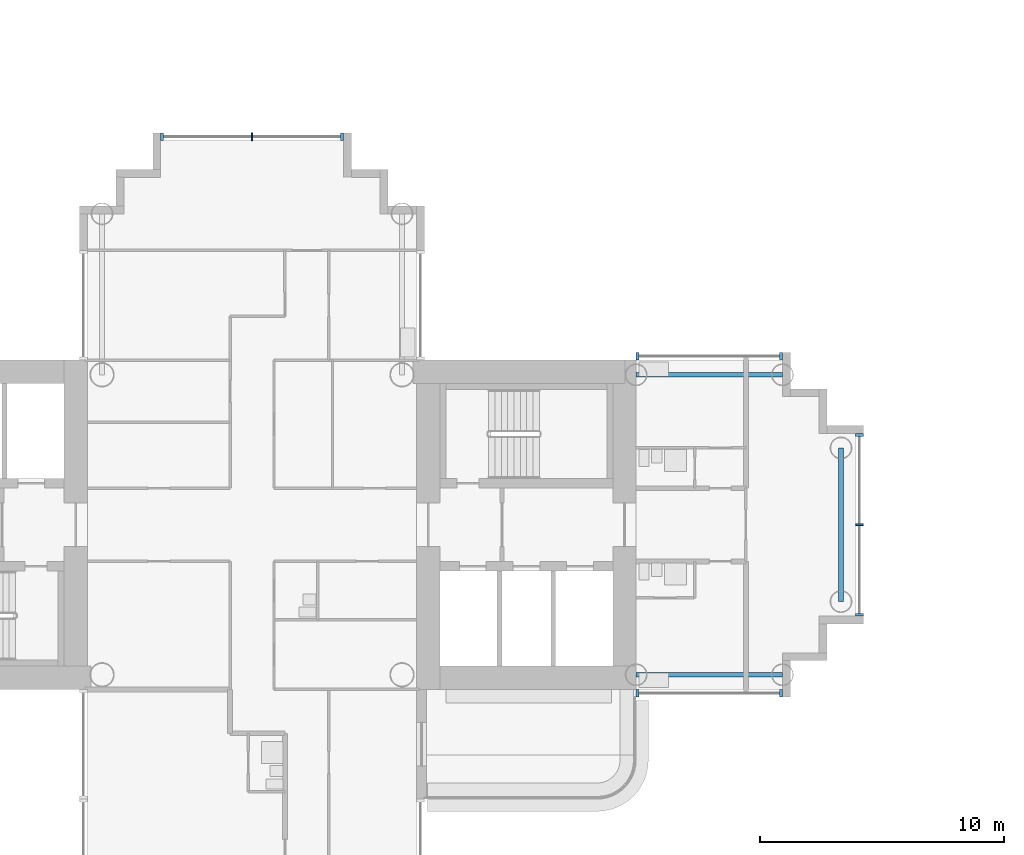
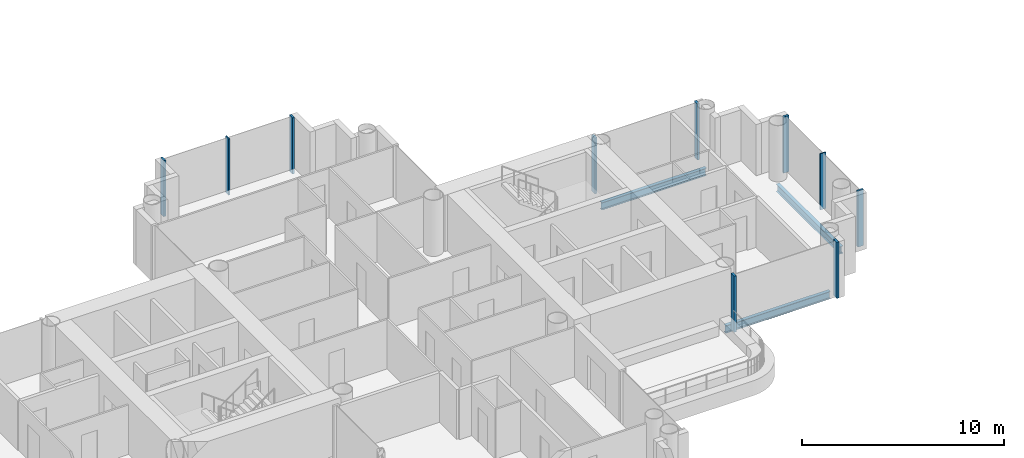
# One storey, part 4 of 21: 10 members, 3 beams, 4 elements without a shape of their own.
"""IFC4 building model written with IfcOpenShell, lengths in metres."""

from ifc_helpers import new_model, si_unit, direction, frame, origin, origin_2d, place, context, subcontext, project, spatial, rectangle, i_section, extrude, material, layer, layer_set, material_profile, profile_set, type_object, element, aggregate, save


model = new_model("IFC4")

# Units and contexts
model_context = context("Model", 3, precision=1e-05, world=origin(), true_north=direction((0.0, 1.0)))
body_context = subcontext(model_context, "Body", "Model", "MODEL_VIEW")
ifc_project = project(units=[si_unit("LENGTHUNIT", "METRE"), si_unit("AREAUNIT", "SQUARE_METRE"), si_unit("VOLUMEUNIT", "CUBIC_METRE"), si_unit("PLANEANGLEUNIT", "RADIAN"), si_unit("MASSUNIT", "GRAM", prefix="KILO")], contexts=[model_context])

# Site, building, storey
site_placement = place(None, origin())
site = spatial("IfcSite", under=ifc_project, at=site_placement, CompositionType="ELEMENT")
building_placement = place(site_placement, origin())
building = spatial("IfcBuilding", under=site, at=building_placement, Name="Ipe Terrace Towers", CompositionType="ELEMENT")
storey_placement = place(building_placement, frame((0.0, 0.0, 103.800048828125)))
storey = spatial("IfcBuildingStorey", under=building, at=storey_placement, Name="L28", CompositionType="ELEMENT", Elevation=103.800048828125)

# Beams
ifc_material_1 = material(Name="Steel S355", Category="steel")
ifc_material_profile_1 = material_profile(ifc_material_1, i_section(OverallWidth=0.199951171875, OverallDepth=0.449951171875, WebThickness=0.009033203125, FlangeThickness=0.013916015625, at=origin_2d()), Name="H-450x200x9x14")
ifc_profile_set_1 = profile_set([ifc_material_profile_1], Name="Steel S355")
beam_type = type_object("IfcBeamType", Name="H08 EDGE BEAM H-450x200x9x14", PredefinedType="BEAM", material=ifc_profile_set_1)
for number, where, z_axis, x_axis, name in (
    (1, (-20.25, -6.14990234375, -0.625), (1.0, 0.0, 0.0), (0.0, 1.0, 0.0), "Edge beam T1-EB-A01-A03"),
    (2, (-20.25, 6.14990234375, -0.625), (1.0, 0.0, 0.0), (0.0, 1.0, 0.0), "Edge beam T1-EB-A02-A04"),
):
    element("IfcBeam", number, at=place(storey_placement, frame(where, z_axis=z_axis, x_axis=x_axis)), inside=storey, type_object=beam_type, Name=name, PredefinedType="BEAM", context=body_context, shape_type="SweptSolid", body=[
        extrude(i_section(OverallWidth=0.199951171875, OverallDepth=0.449951171875, WebThickness=0.009033203125, FlangeThickness=0.013916015625, at=origin_2d()), origin(), (0.0, 0.0, 1.0), 6.0),
    ])
beam_placement = place(storey_placement, frame((-11.85009765625, -3.14990234375, -0.625), z_axis=(0.0, 1.0, 0.0), x_axis=(-1.0, 0.0, 0.0)))
element("IfcBeam", 3, at=beam_placement, inside=storey, type_object=beam_type, Name="Edge beam T1-EB-A05-A06", PredefinedType="BEAM", context=body_context, shape_type="SweptSolid", body=[
    extrude(i_section(OverallWidth=0.199951171875, OverallDepth=0.449951171875, WebThickness=0.009033203125, FlangeThickness=0.013916015625, at=origin_2d()), origin(), (0.0, 0.0, 1.0), 6.2998046875),
])

# Curtain wall, members
ifc_material_2 = material(Name="Aluminium alloy 6063-T6", Category="aluminium")
ifc_layer = layer(ifc_material_2, 0.320068359375)
ifc_layer_set = layer_set([ifc_layer], Name="TOWER UNITISED CURTAIN WALL")
curtain_wall_type = type_object("IfcCurtainWallType", Name="TOWER UNITISED CURTAIN WALL", PredefinedType="NOTDEFINED", material=ifc_layer_set)
curtain_wall_1_placement = place(storey_placement, origin())
curtain_wall_1 = element("IfcCurtainWall", 4, at=curtain_wall_1_placement, inside=storey, type_object=curtain_wall_type, Name="T1-CW-L28-20b curtain wall", PredefinedType="NOTDEFINED")
ifc_material_3 = material(Name="Aluminium alloy 6063-T6", Category="aluminium")
ifc_material_profile_2 = material_profile(ifc_material_3, rectangle(XDim=0.320068359375, YDim=0.1201171875, at=origin_2d()), Name="TOWER UNITISED CORNER MULLION 320 x 120")
ifc_profile_set_2 = profile_set([ifc_material_profile_2], Name="Aluminium alloy 6063-T6")
member_type_1 = type_object("IfcMemberType", Name="TOWER UNITISED CORNER MULLION 320 x 120", PredefinedType="MULLION", material=ifc_profile_set_2)
member_1_placement = place(storey_placement, frame((-20.18896484375, -6.909912109375, -0.300048828125), z_axis=(0.0, 0.0, 1.0), x_axis=(0.0, -1.0, 0.0)))
member_1 = element("IfcMember", 5, at=member_1_placement, type_object=member_type_1, Name="T1-CW-L28-20b mullion 1", PredefinedType="MULLION", context=body_context, shape_type="SweptSolid", body=[
    extrude(rectangle(XDim=0.320068359375, YDim=0.1201171875, at=origin_2d()), origin(), (0.0, 0.0, 1.0), 3.39990234375),
])
member_2_placement = place(storey_placement, frame((-14.31005859375, -6.909912109375, -0.300048828125), z_axis=(0.0, 0.0, 1.0), x_axis=(0.0, -1.0, 0.0)))
member_2 = element("IfcMember", 6, at=member_2_placement, type_object=member_type_1, Name="T1-CW-L28-20b mullion 2", PredefinedType="MULLION", context=body_context, shape_type="SweptSolid", body=[
    extrude(rectangle(XDim=0.320068359375, YDim=0.1201171875, at=origin_2d()), origin(), (0.0, 0.0, 1.0), 3.39990234375),
])
aggregate(curtain_wall_1, [member_1, member_2])

curtain_wall_2_placement = place(storey_placement, origin())
curtain_wall_2 = element("IfcCurtainWall", 7, at=curtain_wall_2_placement, inside=storey, type_object=curtain_wall_type, Name="T1-CW-L28-25a curtain wall", PredefinedType="NOTDEFINED")
member_3_placement = place(storey_placement, frame((-11.090087890625, -3.68994140625, -0.300048828125), z_axis=(0.0, 0.0, 1.0), x_axis=(1.0, 0.0, 0.0)))
member_3 = element("IfcMember", 8, at=member_3_placement, type_object=member_type_1, Name="T1-CW-L28-25a mullion 1", PredefinedType="MULLION", context=body_context, shape_type="SweptSolid", body=[
    extrude(rectangle(XDim=0.320068359375, YDim=0.1201171875, at=origin_2d()), origin(), (0.0, 0.0, 1.0), 3.39990234375),
])
member_4_placement = place(storey_placement, frame((-11.090087890625, 3.68994140625, -0.300048828125), z_axis=(0.0, 0.0, 1.0), x_axis=(1.0, 0.0, 0.0)))
member_4 = element("IfcMember", 9, at=member_4_placement, type_object=member_type_1, Name="T1-CW-L28-25a mullion 3", PredefinedType="MULLION", context=body_context, shape_type="SweptSolid", body=[
    extrude(rectangle(XDim=0.320068359375, YDim=0.1201171875, at=origin_2d()), origin(), (0.0, 0.0, 1.0), 3.39990234375),
])

curtain_wall_3_placement = place(storey_placement, origin())
curtain_wall_3 = element("IfcCurtainWall", 10, at=curtain_wall_3_placement, inside=storey, type_object=curtain_wall_type, Name="T1-CW-L28-30a curtain wall", PredefinedType="NOTDEFINED")
member_5_placement = place(storey_placement, frame((-14.31005859375, 6.909912109375, -0.300048828125), z_axis=(0.0, 0.0, 1.0), x_axis=(0.0, 1.0, 0.0)))
member_5 = element("IfcMember", 11, at=member_5_placement, type_object=member_type_1, Name="T1-CW-L28-30a mullion 1", PredefinedType="MULLION", context=body_context, shape_type="SweptSolid", body=[
    extrude(rectangle(XDim=0.320068359375, YDim=0.1201171875, at=origin_2d()), origin(), (0.0, 0.0, 1.0), 3.39990234375),
])
member_6_placement = place(storey_placement, frame((-20.18896484375, 6.909912109375, -0.300048828125), z_axis=(0.0, 0.0, 1.0), x_axis=(0.0, 1.0, 0.0)))
member_6 = element("IfcMember", 12, at=member_6_placement, type_object=member_type_1, Name="T1-CW-L28-30a mullion 2", PredefinedType="MULLION", context=body_context, shape_type="SweptSolid", body=[
    extrude(rectangle(XDim=0.320068359375, YDim=0.1201171875, at=origin_2d()), origin(), (0.0, 0.0, 1.0), 3.39990234375),
])
aggregate(curtain_wall_3, [member_5, member_6])

curtain_wall_4_placement = place(storey_placement, origin())
curtain_wall_4 = element("IfcCurtainWall", 13, at=curtain_wall_4_placement, inside=storey, type_object=curtain_wall_type, Name="T1-CW-L28-38a curtain wall", PredefinedType="NOTDEFINED")
member_7_placement = place(storey_placement, frame((-32.31005859375, 15.909912109375, -0.300048828125), z_axis=(0.0, 0.0, 1.0), x_axis=(0.0, 1.0, 0.0)))
member_7 = element("IfcMember", 14, at=member_7_placement, type_object=member_type_1, Name="T1-CW-L28-38a mullion 1", PredefinedType="MULLION", context=body_context, shape_type="SweptSolid", body=[
    extrude(rectangle(XDim=0.320068359375, YDim=0.1201171875, at=origin_2d()), origin(), (0.0, 0.0, 1.0), 3.39990234375),
])
member_8_placement = place(storey_placement, frame((-39.68994140625, 15.909912109375, -0.300048828125), z_axis=(0.0, 0.0, 1.0), x_axis=(0.0, 1.0, 0.0)))
member_8 = element("IfcMember", 15, at=member_8_placement, type_object=member_type_1, Name="T1-CW-L28-38a mullion 3", PredefinedType="MULLION", context=body_context, shape_type="SweptSolid", body=[
    extrude(rectangle(XDim=0.320068359375, YDim=0.1201171875, at=origin_2d()), origin(), (0.0, 0.0, 1.0), 3.39990234375),
])

# Member
ifc_material_4 = material(Name="Aluminium alloy 6063-T6", Category="aluminium")
ifc_material_profile_3 = material_profile(ifc_material_4, rectangle(XDim=0.320068359375, YDim=0.06494140625, at=origin_2d()), Name="TOWER UNITISED MULLION 320 x 65")
ifc_profile_set_3 = profile_set([ifc_material_profile_3], Name="Aluminium alloy 6063-T6")
member_type_2 = type_object("IfcMemberType", Name="TOWER UNITISED MULLION 320 x 65", PredefinedType="MULLION", material=ifc_profile_set_3)
member_9_placement = place(storey_placement, frame((-11.090087890625, 0.0, -0.300048828125), z_axis=(0.0, 0.0, 1.0), x_axis=(1.0, 0.0, 0.0)))
member_9 = element("IfcMember", 16, at=member_9_placement, type_object=member_type_2, Name="T1-CW-L28-25a mullion 2", PredefinedType="MULLION", context=body_context, shape_type="SweptSolid", body=[
    extrude(rectangle(XDim=0.320068359375, YDim=0.06494140625, at=origin_2d()), origin(), (0.0, 0.0, 1.0), 3.39990234375),
])

aggregate(curtain_wall_2, [member_3, member_9, member_4])

member_10_placement = place(storey_placement, frame((-36.0, 15.909912109375, -0.300048828125), z_axis=(0.0, 0.0, 1.0), x_axis=(0.0, 1.0, 0.0)))
member_10 = element("IfcMember", 17, at=member_10_placement, type_object=member_type_2, Name="T1-CW-L28-38a mullion 2", PredefinedType="MULLION", context=body_context, shape_type="SweptSolid", body=[
    extrude(rectangle(XDim=0.320068359375, YDim=0.06494140625, at=origin_2d()), origin(), (0.0, 0.0, 1.0), 3.39990234375),
])

aggregate(curtain_wall_4, [member_7, member_10, member_8])

save(model, "model.ifc")
